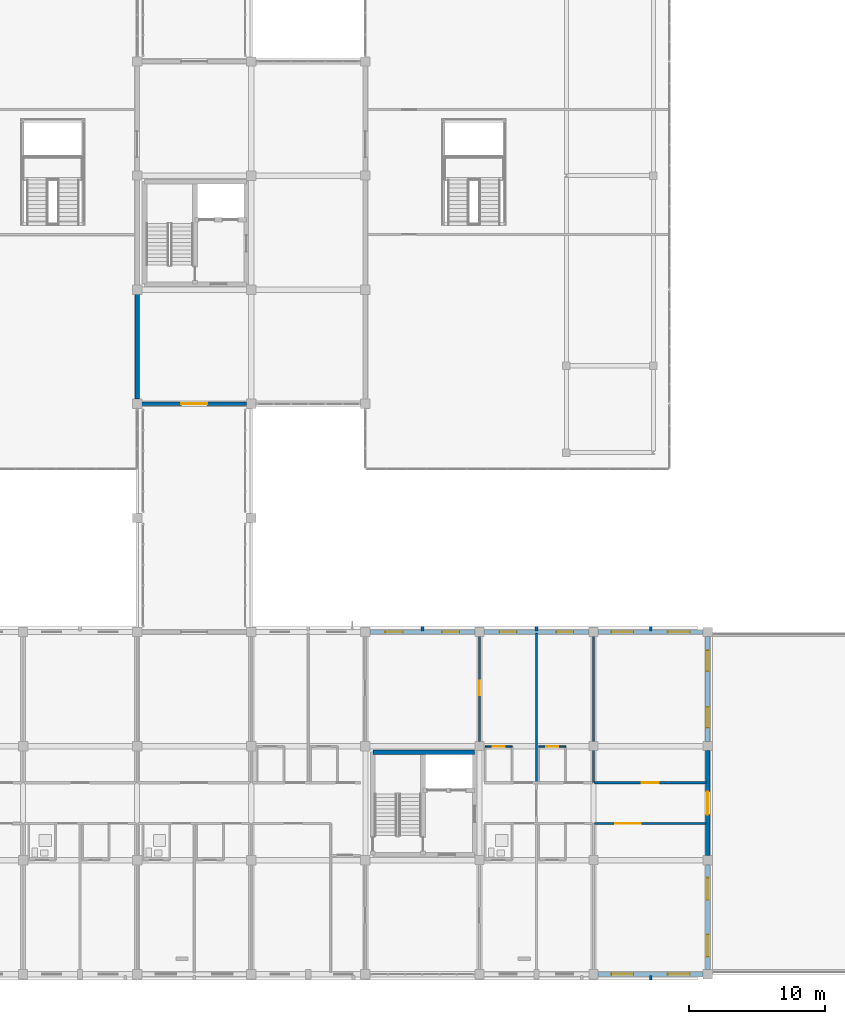
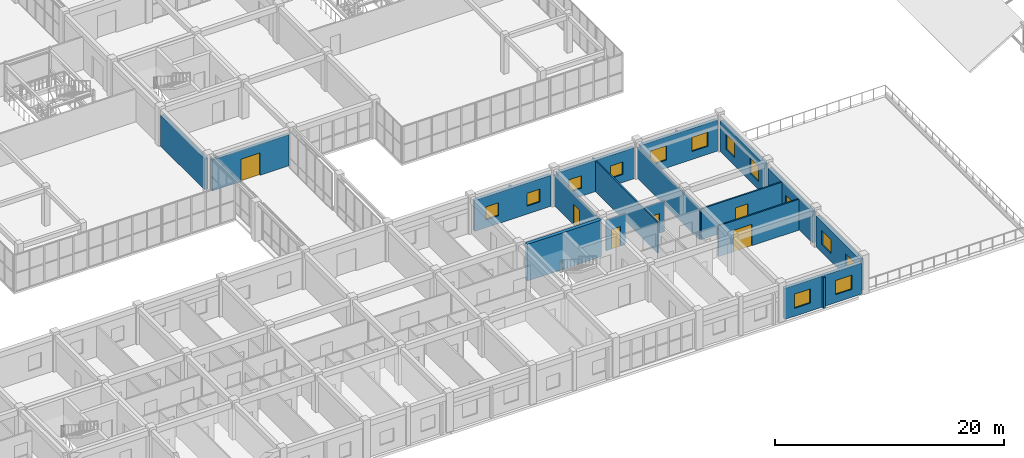
# One storey, part 113 of 140: 21 walls, 12 windows, 7 doors, 19 openings.
"""IFC4 building model written with IfcOpenShell, lengths in metres."""

from ifc_helpers import new_model, si_unit, direction, frame, frame_2d, origin, place, context, subcontext, project, spatial, rectangle, extrude, material, layer, layer_set, type_object, element, fill, save


model = new_model("IFC4")

# Units and contexts
model_context = context("Model", 3, precision=1e-05, world=origin(), true_north=direction((0.0, 1.0)))
body_context = subcontext(model_context, "Body", "Model", "MODEL_VIEW")
ifc_project = project(units=[si_unit("LENGTHUNIT", "METRE"), si_unit("AREAUNIT", "SQUARE_METRE"), si_unit("VOLUMEUNIT", "CUBIC_METRE"), si_unit("PLANEANGLEUNIT", "RADIAN"), si_unit("MASSUNIT", "GRAM", prefix="KILO")], contexts=[model_context])

# Site, building, storey
site_placement = place(None, origin())
site = spatial("IfcSite", under=ifc_project, at=site_placement, CompositionType="ELEMENT")
building_placement = place(site_placement, origin())
building = spatial("IfcBuilding", under=site, at=building_placement, Name="Trelvath General Hospital", CompositionType="ELEMENT")
storey_placement = place(building_placement, frame((0.0, 0.0, 16.199951171875)))
storey = spatial("IfcBuildingStorey", under=building, at=storey_placement, Name="L04", CompositionType="ELEMENT", Elevation=16.199951171875)

# Walls
ifc_material_1 = material(Name="Precast concrete C40/50", Category="concrete")
ifc_layer_1 = layer(ifc_material_1, 0.199951171875)
ifc_layer_set_1 = layer_set([ifc_layer_1], Name="Precast concrete C40/50")
wall_type_1 = type_object("IfcWallType", Name="BriseSoleilRib 200", PredefinedType="ELEMENTEDWALL", material=ifc_layer_set_1)
for number, where, z_axis, x_axis, name in (
    (1, (96.60009765625, 25.27490234375, 0.0), (0.0, 0.0, 1.0), (0.0, 1.0, 0.0), "Precast Concrete Brise-Soleil Rib Fin L04-340"),
    (2, (105.0, 25.27490234375, 0.0), (0.0, 0.0, 1.0), (0.0, 1.0, 0.0), "Precast Concrete Brise-Soleil Rib Fin L04-343"),
    (3, (113.39990234375, -0.074951171875, 0.0), (0.0, 0.0, 1.0), (0.0, -1.0, 0.0), "Precast Concrete Brise-Soleil Rib Fin L04-346"),
    (4, (113.39990234375, 25.27490234375, 0.0), (0.0, 0.0, 1.0), (0.0, 1.0, 0.0), "Precast Concrete Brise-Soleil Rib Fin L04-347"),
):
    element("IfcWall", number, at=place(storey_placement, frame(where, z_axis=z_axis, x_axis=x_axis)), inside=storey, type_object=wall_type_1, Name=name, PredefinedType="ELEMENTEDWALL", context=body_context, shape_type="SweptSolid", body=[
        extrude(rectangle(XDim=0.340087890625, YDim=0.199951171875, at=frame_2d((0.169921875, 0.0))), origin(), (0.0, 0.0, 1.0), 3.300048828125),
    ])

# Wall, opening, door
ifc_material_2 = material(Name="Gypsum acoustic steel-stud partition", Category="steel")
ifc_layer_2 = layer(ifc_material_2, 0.14990234375)
ifc_layer_set_2 = layer_set([ifc_layer_2], Name="Gypsum acoustic steel-stud partition")
wall_type_2 = type_object("IfcWallType", Name="ClinicalPartition 150", PredefinedType="PARTITIONING", material=ifc_layer_set_2)
wall_1_placement = place(storey_placement, frame((109.280029296875, 11.10009765625, 0.0), z_axis=(0.0, 0.0, 1.0), x_axis=(1.0, 0.0, 0.0)))
wall_1 = element("IfcWall", 5, at=wall_1_placement, inside=storey, type_object=wall_type_2, Name="Corridor Partition L04-1543", PredefinedType="PARTITIONING", context=body_context, shape_type="SweptSolid", body=[
    extrude(rectangle(XDim=8.179931640625, YDim=0.14990234375, at=frame_2d((4.08984375, 0.0))), origin(), (0.0, 0.0, 1.0), 3.300048828125),
])
opening_1_placement = place(wall_1_placement, frame((1.530029296875, 0.0, 0.0)))
opening_1 = element("IfcOpeningElement", 6, at=opening_1_placement, cuts=wall_1, Name="Opening D-4-1060", PredefinedType="OPENING", context=body_context, shape_type="SweptSolid", body=[
    extrude(rectangle(XDim=1.85009765625, YDim=2.300048828125, at=frame_2d((0.925048828125, 1.14990234375))), frame((0.0, 0.0849609375, 0.0), z_axis=(0.0, -1.0, 0.0), x_axis=(1.0, 0.0, 0.0)), (0.0, 0.0, 1.0), 0.169921875),
])
ifc_material_3 = material(Name="Fire-rated steel cross-corridor pair", Category="steel")
door_type_1 = type_object("IfcDoorType", Name="Door SmokeCross 1850x2300", OperationType="DOUBLE_SWING_LEFT", PredefinedType="DOOR", material=ifc_material_3)
door_1_placement = place(opening_1_placement, origin())
door_1 = element("IfcDoor", 7, at=door_1_placement, inside=storey, type_object=door_type_1, Name="Waiting Lounge Door L04-1060", OperationType="DOUBLE_SWING_LEFT", OverallHeight=2.300048828125, OverallWidth=1.85009765625, PredefinedType="DOOR", context=body_context, shape_type="SweptSolid", body=[
    extrude(rectangle(XDim=1.85009765625, YDim=2.300048828125, at=frame_2d((0.925048828125, 1.14990234375))), frame((0.0, 0.02490234375, 0.0), z_axis=(0.0, -1.0, 0.0), x_axis=(1.0, 0.0, 0.0)), (0.0, 0.0, 1.0), 0.050048828125),
])
fill(opening_1, door_1)

wall_2_placement = place(storey_placement, frame((117.4599609375, 14.10009765625, 0.0), z_axis=(0.0, 0.0, 1.0), x_axis=(-1.0, 0.0, 0.0)))
wall_2 = element("IfcWall", 8, at=wall_2_placement, inside=storey, type_object=wall_type_2, Name="Corridor Partition N L04-1544", PredefinedType="PARTITIONING", context=body_context, shape_type="SweptSolid", body=[
    extrude(rectangle(XDim=8.179931640625, YDim=0.14990234375, at=frame_2d((4.08984375, 0.0))), origin(), (0.0, 0.0, 1.0), 3.300048828125),
])
opening_2_placement = place(wall_2_placement, frame((3.465087890625, 0.0, 0.0)))
opening_2 = element("IfcOpeningElement", 9, at=opening_2_placement, cuts=wall_2, Name="Opening D-4-1061", PredefinedType="OPENING", context=body_context, shape_type="SweptSolid", body=[
    extrude(rectangle(XDim=1.25, YDim=2.199951171875, at=frame_2d((0.625, 1.10009765625))), frame((0.0, 0.0849609375, 0.0), z_axis=(0.0, -1.0, 0.0), x_axis=(1.0, 0.0, 0.0)), (0.0, 0.0, 1.0), 0.169921875),
])
ifc_material_4 = material(Name="Acoustic hospital timber leaf", Category="wood")
door_type_2 = type_object("IfcDoorType", Name="Door Treatment 1250x2200", OperationType="NOTDEFINED", PredefinedType="DOOR", material=ifc_material_4)
door_2_placement = place(opening_2_placement, origin())
door_2 = element("IfcDoor", 10, at=door_2_placement, inside=storey, type_object=door_type_2, Name="Clinical Room Door L04-1061", OperationType="SINGLE_SWING_LEFT", OverallHeight=2.199951171875, OverallWidth=1.25, PredefinedType="DOOR", context=body_context, shape_type="SweptSolid", body=[
    extrude(rectangle(XDim=1.25, YDim=2.199951171875, at=frame_2d((0.625, 1.10009765625))), frame((0.0, 0.02490234375, 0.0), z_axis=(0.0, -1.0, 0.0), x_axis=(1.0, 0.0, 0.0)), (0.0, 0.0, 1.0), 0.050048828125),
])
fill(opening_2, door_2)

# Wall
ifc_material_5 = material(Name="Concrete C40/50", Category="concrete")
ifc_layer_3 = layer(ifc_material_5, 0.35009765625)
ifc_layer_set_3 = layer_set([ifc_layer_3], Name="Concrete C40/50")
wall_type_3 = type_object("IfcWallType", Name="CoreShearWall 350", PredefinedType="SHEAR", material=ifc_layer_set_3)
wall_3_placement = place(storey_placement, frame((92.949951171875, 16.35009765625, 0.0), z_axis=(0.0, 0.0, 1.0), x_axis=(1.0, 0.0, 0.0)))
element("IfcWall", 11, at=wall_3_placement, inside=storey, type_object=wall_type_3, Name="Core Shear Wall C5 N L04", PredefinedType="SHEAR", context=body_context, shape_type="SweptSolid", body=[
    extrude(rectangle(XDim=7.5, YDim=0.35009765625, at=frame_2d((3.75, 0.0))), origin(), (0.0, 0.0, 1.0), 3.920166015625),
])

# Wall, opening, door
ifc_material_6 = material(Name="Moisture-resistant tile partition")
ifc_layer_4 = layer(ifc_material_6, 0.110107421875)
ifc_layer_set_4 = layer_set([ifc_layer_4], Name="Moisture-resistant tile partition")
wall_type_4 = type_object("IfcWallType", Name="EnSuiteWetWall 110", PredefinedType="PARTITIONING", material=ifc_layer_set_4)
wall_4_placement = place(storey_placement, frame((101.219970703125, 16.780029296875, 0.0), z_axis=(0.0, 0.0, 1.0), x_axis=(1.0, 0.0, 0.0)))
wall_4 = element("IfcWall", 12, at=wall_4_placement, inside=storey, type_object=wall_type_4, Name="En-Suite Bathroom N Partition L04-1536", PredefinedType="PARTITIONING", context=body_context, shape_type="SweptSolid", body=[
    extrude(rectangle(XDim=1.97998046875, YDim=0.110107421875, at=frame_2d((0.989990234375, 0.0))), origin(), (0.0, 0.0, 1.0), 3.300048828125),
])
opening_3_placement = place(wall_4_placement, frame((0.5400390625, 0.0, 0.0)))
opening_3 = element("IfcOpeningElement", 13, at=opening_3_placement, cuts=wall_4, Name="Opening D-4-1057", PredefinedType="OPENING", context=body_context, shape_type="SweptSolid", body=[
    extrude(rectangle(XDim=0.89990234375, YDim=2.10009765625, at=frame_2d((0.449951171875, 1.050048828125))), frame((0.0, 0.06494140625, 0.0), z_axis=(0.0, -1.0, 0.0), x_axis=(1.0, 0.0, 0.0)), (0.0, 0.0, 1.0), 0.130126953125),
])
ifc_material_7 = material(Name="Moisture-sealed timber leaf", Category="wood")
door_type_3 = type_object("IfcDoorType", Name="Door EnSuite 900x2100", OperationType="NOTDEFINED", PredefinedType="DOOR", material=ifc_material_7)
door_3_placement = place(opening_3_placement, origin())
door_3 = element("IfcDoor", 14, at=door_3_placement, inside=storey, type_object=door_type_3, Name="En-Suite Bathroom N Door L04-1057", OperationType="SINGLE_SWING_LEFT", OverallHeight=2.10009765625, OverallWidth=0.89990234375, PredefinedType="DOOR", context=body_context, shape_type="SweptSolid", body=[
    extrude(rectangle(XDim=0.89990234375, YDim=2.10009765625, at=frame_2d((0.449951171875, 1.050048828125))), frame((0.0, 0.02490234375, 0.0), z_axis=(0.0, -1.0, 0.0), x_axis=(1.0, 0.0, 0.0)), (0.0, 0.0, 1.0), 0.050048828125),
])
fill(opening_3, door_3)

wall_5_placement = place(storey_placement, frame((105.159912109375, 16.780029296875, 0.0), z_axis=(0.0, 0.0, 1.0), x_axis=(1.0, 0.0, 0.0)))
wall_5 = element("IfcWall", 15, at=wall_5_placement, inside=storey, type_object=wall_type_4, Name="En-Suite Bathroom N Partition L04-1539", PredefinedType="PARTITIONING", context=body_context, shape_type="SweptSolid", body=[
    extrude(rectangle(XDim=1.97998046875, YDim=0.110107421875, at=frame_2d((0.989990234375, 0.0))), origin(), (0.0, 0.0, 1.0), 3.300048828125),
])
opening_4_placement = place(wall_5_placement, frame((0.5400390625, 0.0, 0.0)))
opening_4 = element("IfcOpeningElement", 16, at=opening_4_placement, cuts=wall_5, Name="Opening D-4-1058", PredefinedType="OPENING", context=body_context, shape_type="SweptSolid", body=[
    extrude(rectangle(XDim=0.89990234375, YDim=2.10009765625, at=frame_2d((0.449951171875, 1.050048828125))), frame((0.0, 0.06494140625, 0.0), z_axis=(0.0, -1.0, 0.0), x_axis=(1.0, 0.0, 0.0)), (0.0, 0.0, 1.0), 0.130126953125),
])
door_4_placement = place(opening_4_placement, origin())
door_4 = element("IfcDoor", 17, at=door_4_placement, inside=storey, type_object=door_type_3, Name="En-Suite Bathroom N Door L04-1058", OperationType="SINGLE_SWING_RIGHT", OverallHeight=2.10009765625, OverallWidth=0.89990234375, PredefinedType="DOOR", context=body_context, shape_type="SweptSolid", body=[
    extrude(rectangle(XDim=0.89990234375, YDim=2.10009765625, at=frame_2d((0.449951171875, 1.050048828125))), frame((0.0, 0.02490234375, 0.0), z_axis=(0.0, -1.0, 0.0), x_axis=(1.0, 0.0, 0.0)), (0.0, 0.0, 1.0), 0.050048828125),
])
fill(opening_4, door_4)

ifc_material_8 = material(Name="Concrete C35/45", Category="concrete")
ifc_layer_5 = layer(ifc_material_8, 0.2900390625)
ifc_layer_set_5 = layer_set([ifc_layer_5], Name="Concrete C35/45")
wall_type_5 = type_object("IfcWallType", Name="ExtBushHammeredWall 290", PredefinedType="SOLIDWALL", material=ifc_layer_set_5)
wall_6_placement = place(storey_placement, frame((83.6650390625, 42.0, 0.0), z_axis=(0.0, 0.0, 1.0), x_axis=(-1.0, 0.0, 0.0)))
wall_6 = element("IfcWall", 18, at=wall_6_placement, inside=storey, type_object=wall_type_5, Name="Bridge Portal Wall BRG-S-C L04", PredefinedType="SOLIDWALL", context=body_context, shape_type="SweptSolid", body=[
    extrude(rectangle(XDim=7.72998046875, YDim=0.2900390625, at=frame_2d((3.864990234375, 0.0))), origin(), (0.0, 0.0, 1.0), 3.320068359375),
])
opening_5_placement = place(wall_6_placement, frame((2.9150390625, 0.0, 0.0)))
opening_5 = element("IfcOpeningElement", 19, at=opening_5_placement, cuts=wall_6, Name="Opening BP-4-057", PredefinedType="OPENING", context=body_context, shape_type="SweptSolid", body=[
    extrude(rectangle(XDim=1.89990234375, YDim=2.39990234375, at=frame_2d((0.949951171875, 1.199951171875))), frame((0.0, 0.155029296875, 0.0), z_axis=(0.0, -1.0, 0.0), x_axis=(1.0, 0.0, 0.0)), (0.0, 0.0, 1.0), 0.31005859375),
])
ifc_material_9 = material(Name="Thermally broken glazed aluminium pair", Category="aluminium")
door_type_4 = type_object("IfcDoorType", Name="Door BridgeEntry 1900x2400", OperationType="DOUBLE_SWING_LEFT", PredefinedType="DOOR", material=ifc_material_9)
door_5_placement = place(opening_5_placement, origin())
door_5 = element("IfcDoor", 20, at=door_5_placement, inside=storey, type_object=door_type_4, Name="Glazed Bridge Portal Door BRG-S-C L04", OperationType="DOUBLE_SWING_LEFT", OverallHeight=2.39990234375, OverallWidth=1.89990234375, PredefinedType="DOOR", context=body_context, shape_type="SweptSolid", body=[
    extrude(rectangle(XDim=1.89990234375, YDim=2.39990234375, at=frame_2d((0.949951171875, 1.199951171875))), frame((0.0, 0.02490234375, 0.0), z_axis=(0.0, -1.0, 0.0), x_axis=(1.0, 0.0, 0.0)), (0.0, 0.0, 1.0), 0.050048828125),
])
fill(opening_5, door_5)

# Wall
ifc_material_10 = material(Name="Concrete C35/45", Category="concrete")
ifc_layer_6 = layer(ifc_material_10, 0.320068359375)
ifc_layer_set_6 = layer_set([ifc_layer_6], Name="Concrete C35/45")
wall_type_6 = type_object("IfcWallType", Name="ExtThermalWall 320", PredefinedType="SOLIDWALL", material=ifc_layer_set_6)
wall_7_placement = place(storey_placement, frame((75.60009765625, 42.3349609375, 0.0), z_axis=(0.0, 0.0, 1.0), x_axis=(0.0, 1.0, 0.0)))
element("IfcWall", 21, at=wall_7_placement, inside=storey, type_object=wall_type_6, Name="Exterior Concrete Wall L04-455", PredefinedType="SOLIDWALL", context=body_context, shape_type="SweptSolid", body=[
    extrude(rectangle(XDim=7.72998046875, YDim=0.320068359375, at=frame_2d((3.864990234375, 0.0))), origin(), (0.0, 0.0, 1.0), 3.320068359375),
])

# Wall, openings, windows
wall_8_placement = place(storey_placement, frame((92.735107421875, 25.199951171875, 0.0), z_axis=(0.0, 0.0, 1.0), x_axis=(1.0, 0.0, 0.0)))
wall_8 = element("IfcWall", 22, at=wall_8_placement, inside=storey, type_object=wall_type_6, Name="Exterior Concrete Wall L04-468", PredefinedType="SOLIDWALL", context=body_context, shape_type="SweptSolid", body=[
    extrude(rectangle(XDim=7.72998046875, YDim=0.320068359375, at=frame_2d((3.864990234375, 0.0))), origin(), (0.0, 0.0, 1.0), 3.320068359375),
])
opening_6_placement = place(wall_8_placement, frame((1.137939453125, 0.0, 0.85009765625)))
opening_6 = element("IfcOpeningElement", 23, at=opening_6_placement, cuts=wall_8, Name="Opening WN-4-765", PredefinedType="OPENING", context=body_context, shape_type="SweptSolid", body=[
    extrude(rectangle(XDim=1.280029296875, YDim=1.3798828125, at=frame_2d((0.64013671875, 0.68994140625))), frame((0.0, 0.169921875, 0.0), z_axis=(0.0, -1.0, 0.0), x_axis=(1.0, 0.0, 0.0)), (0.0, 0.0, 1.0), 0.340087890625),
])
opening_7_placement = place(wall_8_placement, frame((5.31201171875, 0.0, 0.85009765625)))
opening_7 = element("IfcOpeningElement", 24, at=opening_7_placement, cuts=wall_8, Name="Opening WN-4-766", PredefinedType="OPENING", context=body_context, shape_type="SweptSolid", body=[
    extrude(rectangle(XDim=1.280029296875, YDim=1.3798828125, at=frame_2d((0.64013671875, 0.68994140625))), frame((0.0, 0.169921875, 0.0), z_axis=(0.0, -1.0, 0.0), x_axis=(1.0, 0.0, 0.0)), (0.0, 0.0, 1.0), 0.340087890625),
])
ifc_material_11 = material(Name="Low-E laminated glass", Category="glass")
window_type_1 = type_object("IfcWindowType", Name="Window Telemetry 1280x1380", PartitioningType="DOUBLE_PANEL_VERTICAL", PredefinedType="WINDOW", material=ifc_material_11)
window_1_placement = place(opening_6_placement, origin())
window_1 = element("IfcWindow", 25, at=window_1_placement, inside=storey, type_object=window_type_1, Name="Solar Reveal Window L04-765", OverallHeight=1.3798828125, OverallWidth=1.280029296875, PartitioningType="SINGLE_PANEL", PredefinedType="WINDOW", context=body_context, shape_type="SweptSolid", body=[
    extrude(rectangle(XDim=1.280029296875, YDim=1.3798828125, at=frame_2d((0.64013671875, 0.68994140625))), frame((0.0, 0.030029296875, 0.0), z_axis=(0.0, -1.0, 0.0), x_axis=(1.0, 0.0, 0.0)), (0.0, 0.0, 1.0), 0.06005859375),
])
fill(opening_6, window_1)
window_2_placement = place(opening_7_placement, origin())
window_2 = element("IfcWindow", 26, at=window_2_placement, inside=storey, type_object=window_type_1, Name="Solar Reveal Window L04-766", OverallHeight=1.3798828125, OverallWidth=1.280029296875, PartitioningType="SINGLE_PANEL", PredefinedType="WINDOW", context=body_context, shape_type="SweptSolid", body=[
    extrude(rectangle(XDim=1.280029296875, YDim=1.3798828125, at=frame_2d((0.64013671875, 0.68994140625))), frame((0.0, 0.030029296875, 0.0), z_axis=(0.0, -1.0, 0.0), x_axis=(1.0, 0.0, 0.0)), (0.0, 0.0, 1.0), 0.06005859375),
])
fill(opening_7, window_2)

wall_9_placement = place(storey_placement, frame((101.135009765625, 25.199951171875, 0.0), z_axis=(0.0, 0.0, 1.0), x_axis=(1.0, 0.0, 0.0)))
wall_9 = element("IfcWall", 27, at=wall_9_placement, inside=storey, type_object=wall_type_6, Name="Exterior Concrete Wall L04-471", PredefinedType="SOLIDWALL", context=body_context, shape_type="SweptSolid", body=[
    extrude(rectangle(XDim=7.72998046875, YDim=0.320068359375, at=frame_2d((3.864990234375, 0.0))), origin(), (0.0, 0.0, 1.0), 3.320068359375),
])
opening_8_placement = place(wall_9_placement, frame((1.157958984375, 0.0, 0.85009765625)))
opening_8 = element("IfcOpeningElement", 28, at=opening_8_placement, cuts=wall_9, Name="Opening WN-4-771", PredefinedType="OPENING", context=body_context, shape_type="SweptSolid", body=[
    extrude(rectangle(XDim=1.239990234375, YDim=1.340087890625, at=frame_2d((0.6201171875, 0.669921875))), frame((0.0, 0.169921875, 0.0), z_axis=(0.0, -1.0, 0.0), x_axis=(1.0, 0.0, 0.0)), (0.0, 0.0, 1.0), 0.340087890625),
])
opening_9_placement = place(wall_9_placement, frame((5.33203125, 0.0, 0.85009765625)))
opening_9 = element("IfcOpeningElement", 29, at=opening_9_placement, cuts=wall_9, Name="Opening WN-4-772", PredefinedType="OPENING", context=body_context, shape_type="SweptSolid", body=[
    extrude(rectangle(XDim=1.239990234375, YDim=1.340087890625, at=frame_2d((0.6201171875, 0.669921875))), frame((0.0, 0.169921875, 0.0), z_axis=(0.0, -1.0, 0.0), x_axis=(1.0, 0.0, 0.0)), (0.0, 0.0, 1.0), 0.340087890625),
])
ifc_material_12 = material(Name="Low-E laminated glass", Category="glass")
window_type_2 = type_object("IfcWindowType", Name="Window Pharmacy 1240x1340", PartitioningType="DOUBLE_PANEL_VERTICAL", PredefinedType="WINDOW", material=ifc_material_12)
window_3_placement = place(opening_8_placement, origin())
window_3 = element("IfcWindow", 30, at=window_3_placement, inside=storey, type_object=window_type_2, Name="Solar Reveal Window L04-771", OverallHeight=1.340087890625, OverallWidth=1.239990234375, PartitioningType="SINGLE_PANEL", PredefinedType="WINDOW", context=body_context, shape_type="SweptSolid", body=[
    extrude(rectangle(XDim=1.239990234375, YDim=1.340087890625, at=frame_2d((0.6201171875, 0.669921875))), frame((0.0, 0.030029296875, 0.0), z_axis=(0.0, -1.0, 0.0), x_axis=(1.0, 0.0, 0.0)), (0.0, 0.0, 1.0), 0.06005859375),
])
fill(opening_8, window_3)
window_4_placement = place(opening_9_placement, origin())
window_4 = element("IfcWindow", 31, at=window_4_placement, inside=storey, type_object=window_type_2, Name="Solar Reveal Window L04-772", OverallHeight=1.340087890625, OverallWidth=1.239990234375, PartitioningType="SINGLE_PANEL", PredefinedType="WINDOW", context=body_context, shape_type="SweptSolid", body=[
    extrude(rectangle(XDim=1.239990234375, YDim=1.340087890625, at=frame_2d((0.6201171875, 0.669921875))), frame((0.0, 0.030029296875, 0.0), z_axis=(0.0, -1.0, 0.0), x_axis=(1.0, 0.0, 0.0)), (0.0, 0.0, 1.0), 0.06005859375),
])
fill(opening_9, window_4)

wall_10_placement = place(storey_placement, frame((117.264892578125, 0.0, 0.0), z_axis=(0.0, 0.0, 1.0), x_axis=(-1.0, 0.0, 0.0)))
wall_10 = element("IfcWall", 32, at=wall_10_placement, inside=storey, type_object=wall_type_6, Name="Exterior Concrete Wall L04-474", PredefinedType="SOLIDWALL", context=body_context, shape_type="SweptSolid", body=[
    extrude(rectangle(XDim=7.72998046875, YDim=0.320068359375, at=frame_2d((3.864990234375, 0.0))), origin(), (0.0, 0.0, 1.0), 3.320068359375),
])
opening_10_placement = place(wall_10_placement, frame((0.968017578125, 0.0, 0.85009765625)))
opening_10 = element("IfcOpeningElement", 33, at=opening_10_placement, cuts=wall_10, Name="Opening WN-4-777", PredefinedType="OPENING", context=body_context, shape_type="SweptSolid", body=[
    extrude(rectangle(XDim=1.6201171875, YDim=1.52001953125, at=frame_2d((0.81005859375, 0.760009765625))), frame((0.0, 0.169921875, 0.0), z_axis=(0.0, -1.0, 0.0), x_axis=(1.0, 0.0, 0.0)), (0.0, 0.0, 1.0), 0.340087890625),
])
opening_11_placement = place(wall_10_placement, frame((5.14208984375, 0.0, 0.85009765625)))
opening_11 = element("IfcOpeningElement", 34, at=opening_11_placement, cuts=wall_10, Name="Opening WN-4-778", PredefinedType="OPENING", context=body_context, shape_type="SweptSolid", body=[
    extrude(rectangle(XDim=1.6201171875, YDim=1.52001953125, at=frame_2d((0.81005859375, 0.760009765625))), frame((0.0, 0.169921875, 0.0), z_axis=(0.0, -1.0, 0.0), x_axis=(1.0, 0.0, 0.0)), (0.0, 0.0, 1.0), 0.340087890625),
])
ifc_material_13 = material(Name="Low-E laminated glass", Category="glass")
window_type_3 = type_object("IfcWindowType", Name="Window Triage 1620x1520", PartitioningType="DOUBLE_PANEL_VERTICAL", PredefinedType="WINDOW", material=ifc_material_13)
window_5_placement = place(opening_10_placement, origin())
window_5 = element("IfcWindow", 35, at=window_5_placement, inside=storey, type_object=window_type_3, Name="Solar Reveal Window L04-777", OverallHeight=1.52001953125, OverallWidth=1.6201171875, PartitioningType="SINGLE_PANEL", PredefinedType="WINDOW", context=body_context, shape_type="SweptSolid", body=[
    extrude(rectangle(XDim=1.6201171875, YDim=1.52001953125, at=frame_2d((0.81005859375, 0.760009765625))), frame((0.0, 0.030029296875, 0.0), z_axis=(0.0, -1.0, 0.0), x_axis=(1.0, 0.0, 0.0)), (0.0, 0.0, 1.0), 0.06005859375),
])
fill(opening_10, window_5)
window_6_placement = place(opening_11_placement, origin())
window_6 = element("IfcWindow", 36, at=window_6_placement, inside=storey, type_object=window_type_3, Name="Solar Reveal Window L04-778", OverallHeight=1.52001953125, OverallWidth=1.6201171875, PartitioningType="SINGLE_PANEL", PredefinedType="WINDOW", context=body_context, shape_type="SweptSolid", body=[
    extrude(rectangle(XDim=1.6201171875, YDim=1.52001953125, at=frame_2d((0.81005859375, 0.760009765625))), frame((0.0, 0.030029296875, 0.0), z_axis=(0.0, -1.0, 0.0), x_axis=(1.0, 0.0, 0.0)), (0.0, 0.0, 1.0), 0.06005859375),
])
fill(opening_11, window_6)

wall_11_placement = place(storey_placement, frame((117.60009765625, 8.06494140625, 0.0), z_axis=(0.0, 0.0, 1.0), x_axis=(0.0, -1.0, 0.0)))
wall_11 = element("IfcWall", 37, at=wall_11_placement, inside=storey, type_object=wall_type_6, Name="Exterior Concrete Wall L04-475", PredefinedType="SOLIDWALL", context=body_context, shape_type="SweptSolid", body=[
    extrude(rectangle(XDim=7.72998046875, YDim=0.320068359375, at=frame_2d((3.864990234375, 0.0))), origin(), (0.0, 0.0, 1.0), 3.320068359375),
])
opening_12_placement = place(wall_11_placement, frame((0.968017578125, 0.0, 0.85009765625)))
opening_12 = element("IfcOpeningElement", 38, at=opening_12_placement, cuts=wall_11, Name="Opening WN-4-779", PredefinedType="OPENING", context=body_context, shape_type="SweptSolid", body=[
    extrude(rectangle(XDim=1.6201171875, YDim=1.52001953125, at=frame_2d((0.81005859375, 0.760009765625))), frame((0.0, 0.169921875, 0.0), z_axis=(0.0, -1.0, 0.0), x_axis=(1.0, 0.0, 0.0)), (0.0, 0.0, 1.0), 0.340087890625),
])
opening_13_placement = place(wall_11_placement, frame((5.14208984375, 0.0, 0.85009765625)))
opening_13 = element("IfcOpeningElement", 39, at=opening_13_placement, cuts=wall_11, Name="Opening WN-4-780", PredefinedType="OPENING", context=body_context, shape_type="SweptSolid", body=[
    extrude(rectangle(XDim=1.6201171875, YDim=1.52001953125, at=frame_2d((0.81005859375, 0.760009765625))), frame((0.0, 0.169921875, 0.0), z_axis=(0.0, -1.0, 0.0), x_axis=(1.0, 0.0, 0.0)), (0.0, 0.0, 1.0), 0.340087890625),
])
window_7_placement = place(opening_12_placement, origin())
window_7 = element("IfcWindow", 40, at=window_7_placement, inside=storey, type_object=window_type_3, Name="Solar Reveal Window L04-779", OverallHeight=1.52001953125, OverallWidth=1.6201171875, PartitioningType="SINGLE_PANEL", PredefinedType="WINDOW", context=body_context, shape_type="SweptSolid", body=[
    extrude(rectangle(XDim=1.6201171875, YDim=1.52001953125, at=frame_2d((0.81005859375, 0.760009765625))), frame((0.0, 0.030029296875, 0.0), z_axis=(0.0, -1.0, 0.0), x_axis=(1.0, 0.0, 0.0)), (0.0, 0.0, 1.0), 0.06005859375),
])
fill(opening_12, window_7)
window_8_placement = place(opening_13_placement, origin())
window_8 = element("IfcWindow", 41, at=window_8_placement, inside=storey, type_object=window_type_3, Name="Solar Reveal Window L04-780", OverallHeight=1.52001953125, OverallWidth=1.6201171875, PartitioningType="SINGLE_PANEL", PredefinedType="WINDOW", context=body_context, shape_type="SweptSolid", body=[
    extrude(rectangle(XDim=1.6201171875, YDim=1.52001953125, at=frame_2d((0.81005859375, 0.760009765625))), frame((0.0, 0.030029296875, 0.0), z_axis=(0.0, -1.0, 0.0), x_axis=(1.0, 0.0, 0.0)), (0.0, 0.0, 1.0), 0.06005859375),
])
fill(opening_13, window_8)

# Wall, opening, door
wall_12_placement = place(storey_placement, frame((117.60009765625, 16.465087890625, 0.0), z_axis=(0.0, 0.0, 1.0), x_axis=(0.0, -1.0, 0.0)))
wall_12 = element("IfcWall", 42, at=wall_12_placement, inside=storey, type_object=wall_type_6, Name="Exterior Concrete Wall L04-476", PredefinedType="SOLIDWALL", context=body_context, shape_type="SweptSolid", body=[
    extrude(rectangle(XDim=7.72998046875, YDim=0.320068359375, at=frame_2d((3.864990234375, 0.0))), origin(), (0.0, 0.0, 1.0), 3.320068359375),
])
opening_14_placement = place(wall_12_placement, frame((3.014892578125, 0.0, 0.0)))
opening_14 = element("IfcOpeningElement", 43, at=opening_14_placement, cuts=wall_12, Name="Opening TD-4-62", PredefinedType="OPENING", context=body_context, shape_type="SweptSolid", body=[
    extrude(rectangle(XDim=1.699951171875, YDim=2.300048828125, at=frame_2d((0.85009765625, 1.14990234375))), frame((0.0, 0.169921875, 0.0), z_axis=(0.0, -1.0, 0.0), x_axis=(1.0, 0.0, 0.0)), (0.0, 0.0, 1.0), 0.340087890625),
])
ifc_material_14 = material(Name="Thermally broken glazed aluminium pair", Category="aluminium")
door_type_5 = type_object("IfcDoorType", Name="Door TerracePair 1700x2300", OperationType="DOUBLE_SWING_LEFT", PredefinedType="DOOR", material=ifc_material_14)
door_6_placement = place(opening_14_placement, origin())
door_6 = element("IfcDoor", 44, at=door_6_placement, inside=storey, type_object=door_type_5, Name="Planted Terrace Access Door TERR-SW-E4 L04", OperationType="DOUBLE_SWING_LEFT", OverallHeight=2.300048828125, OverallWidth=1.699951171875, PredefinedType="DOOR", context=body_context, shape_type="SweptSolid", body=[
    extrude(rectangle(XDim=1.699951171875, YDim=2.300048828125, at=frame_2d((0.85009765625, 1.14990234375))), frame((0.0, 0.02490234375, 0.0), z_axis=(0.0, -1.0, 0.0), x_axis=(1.0, 0.0, 0.0)), (0.0, 0.0, 1.0), 0.050048828125),
])
fill(opening_14, door_6)

# Wall, openings, windows
wall_13_placement = place(storey_placement, frame((109.534912109375, 25.199951171875, 0.0), z_axis=(0.0, 0.0, 1.0), x_axis=(1.0, 0.0, 0.0)))
wall_13 = element("IfcWall", 45, at=wall_13_placement, inside=storey, type_object=wall_type_6, Name="Exterior Concrete Wall L04-477", PredefinedType="SOLIDWALL", context=body_context, shape_type="SweptSolid", body=[
    extrude(rectangle(XDim=7.72998046875, YDim=0.320068359375, at=frame_2d((3.864990234375, 0.0))), origin(), (0.0, 0.0, 1.0), 3.320068359375),
])
opening_15_placement = place(wall_13_placement, frame((0.968017578125, 0.0, 0.85009765625)))
opening_15 = element("IfcOpeningElement", 46, at=opening_15_placement, cuts=wall_13, Name="Opening WN-4-781", PredefinedType="OPENING", context=body_context, shape_type="SweptSolid", body=[
    extrude(rectangle(XDim=1.6201171875, YDim=1.52001953125, at=frame_2d((0.81005859375, 0.760009765625))), frame((0.0, 0.169921875, 0.0), z_axis=(0.0, -1.0, 0.0), x_axis=(1.0, 0.0, 0.0)), (0.0, 0.0, 1.0), 0.340087890625),
])
opening_16_placement = place(wall_13_placement, frame((5.14208984375, 0.0, 0.85009765625)))
opening_16 = element("IfcOpeningElement", 47, at=opening_16_placement, cuts=wall_13, Name="Opening WN-4-782", PredefinedType="OPENING", context=body_context, shape_type="SweptSolid", body=[
    extrude(rectangle(XDim=1.6201171875, YDim=1.52001953125, at=frame_2d((0.81005859375, 0.760009765625))), frame((0.0, 0.169921875, 0.0), z_axis=(0.0, -1.0, 0.0), x_axis=(1.0, 0.0, 0.0)), (0.0, 0.0, 1.0), 0.340087890625),
])
window_9_placement = place(opening_15_placement, origin())
window_9 = element("IfcWindow", 48, at=window_9_placement, inside=storey, type_object=window_type_3, Name="Solar Reveal Window L04-781", OverallHeight=1.52001953125, OverallWidth=1.6201171875, PartitioningType="SINGLE_PANEL", PredefinedType="WINDOW", context=body_context, shape_type="SweptSolid", body=[
    extrude(rectangle(XDim=1.6201171875, YDim=1.52001953125, at=frame_2d((0.81005859375, 0.760009765625))), frame((0.0, 0.030029296875, 0.0), z_axis=(0.0, -1.0, 0.0), x_axis=(1.0, 0.0, 0.0)), (0.0, 0.0, 1.0), 0.06005859375),
])
fill(opening_15, window_9)
window_10_placement = place(opening_16_placement, origin())
window_10 = element("IfcWindow", 49, at=window_10_placement, inside=storey, type_object=window_type_3, Name="Solar Reveal Window L04-782", OverallHeight=1.52001953125, OverallWidth=1.6201171875, PartitioningType="SINGLE_PANEL", PredefinedType="WINDOW", context=body_context, shape_type="SweptSolid", body=[
    extrude(rectangle(XDim=1.6201171875, YDim=1.52001953125, at=frame_2d((0.81005859375, 0.760009765625))), frame((0.0, 0.030029296875, 0.0), z_axis=(0.0, -1.0, 0.0), x_axis=(1.0, 0.0, 0.0)), (0.0, 0.0, 1.0), 0.06005859375),
])
fill(opening_16, window_10)

wall_14_placement = place(storey_placement, frame((117.60009765625, 24.864990234375, 0.0), z_axis=(0.0, 0.0, 1.0), x_axis=(0.0, -1.0, 0.0)))
wall_14 = element("IfcWall", 50, at=wall_14_placement, inside=storey, type_object=wall_type_6, Name="Exterior Concrete Wall L04-478", PredefinedType="SOLIDWALL", context=body_context, shape_type="SweptSolid", body=[
    extrude(rectangle(XDim=7.72998046875, YDim=0.320068359375, at=frame_2d((3.864990234375, 0.0))), origin(), (0.0, 0.0, 1.0), 3.320068359375),
])
opening_17_placement = place(wall_14_placement, frame((1.017822265625, 0.0, 0.85009765625)))
opening_17 = element("IfcOpeningElement", 51, at=opening_17_placement, cuts=wall_14, Name="Opening WN-4-783", PredefinedType="OPENING", context=body_context, shape_type="SweptSolid", body=[
    extrude(rectangle(XDim=1.52001953125, YDim=1.64990234375, at=frame_2d((0.760009765625, 0.824951171875))), frame((0.0, 0.169921875, 0.0), z_axis=(0.0, -1.0, 0.0), x_axis=(1.0, 0.0, 0.0)), (0.0, 0.0, 1.0), 0.340087890625),
])
opening_18_placement = place(wall_14_placement, frame((5.192138671875, 0.0, 0.85009765625)))
opening_18 = element("IfcOpeningElement", 52, at=opening_18_placement, cuts=wall_14, Name="Opening WN-4-784", PredefinedType="OPENING", context=body_context, shape_type="SweptSolid", body=[
    extrude(rectangle(XDim=1.52001953125, YDim=1.64990234375, at=frame_2d((0.760009765625, 0.824951171875))), frame((0.0, 0.169921875, 0.0), z_axis=(0.0, -1.0, 0.0), x_axis=(1.0, 0.0, 0.0)), (0.0, 0.0, 1.0), 0.340087890625),
])
ifc_material_15 = material(Name="Low-E laminated glass", Category="glass")
window_type_4 = type_object("IfcWindowType", Name="Window WardNorth 1520x1650", PartitioningType="DOUBLE_PANEL_VERTICAL", PredefinedType="WINDOW", material=ifc_material_15)
window_11_placement = place(opening_17_placement, origin())
window_11 = element("IfcWindow", 53, at=window_11_placement, inside=storey, type_object=window_type_4, Name="Solar Reveal Window L04-783", OverallHeight=1.64990234375, OverallWidth=1.52001953125, PartitioningType="SINGLE_PANEL", PredefinedType="WINDOW", context=body_context, shape_type="SweptSolid", body=[
    extrude(rectangle(XDim=1.52001953125, YDim=1.64990234375, at=frame_2d((0.760009765625, 0.824951171875))), frame((0.0, 0.030029296875, 0.0), z_axis=(0.0, -1.0, 0.0), x_axis=(1.0, 0.0, 0.0)), (0.0, 0.0, 1.0), 0.06005859375),
])
fill(opening_17, window_11)
window_12_placement = place(opening_18_placement, origin())
window_12 = element("IfcWindow", 54, at=window_12_placement, inside=storey, type_object=window_type_4, Name="Solar Reveal Window L04-784", OverallHeight=1.64990234375, OverallWidth=1.52001953125, PartitioningType="SINGLE_PANEL", PredefinedType="WINDOW", context=body_context, shape_type="SweptSolid", body=[
    extrude(rectangle(XDim=1.52001953125, YDim=1.64990234375, at=frame_2d((0.760009765625, 0.824951171875))), frame((0.0, 0.030029296875, 0.0), z_axis=(0.0, -1.0, 0.0), x_axis=(1.0, 0.0, 0.0)), (0.0, 0.0, 1.0), 0.06005859375),
])
fill(opening_18, window_12)

# Wall, opening, door
ifc_material_16 = material(Name="Gypsum acoustic steel-stud partition", Category="steel")
ifc_layer_7 = layer(ifc_material_16, 0.1298828125)
ifc_layer_set_7 = layer_set([ifc_layer_7], Name="Gypsum acoustic steel-stud partition")
wall_type_7 = type_object("IfcWallType", Name="WardPartition 130", PredefinedType="PARTITIONING", material=ifc_layer_set_7)
wall_15_placement = place(storey_placement, frame((100.800048828125, 17.14990234375, 0.0), z_axis=(0.0, 0.0, 1.0), x_axis=(0.0, 1.0, 0.0)))
wall_15 = element("IfcWall", 55, at=wall_15_placement, inside=storey, type_object=wall_type_7, Name="Inter-Bay Ward Partition N L04-1522", PredefinedType="PARTITIONING", context=body_context, shape_type="SweptSolid", body=[
    extrude(rectangle(XDim=7.91015625, YDim=0.1298828125, at=frame_2d((3.955078125, 0.0))), origin(), (0.0, 0.0, 1.0), 3.300048828125),
])
opening_19_placement = place(wall_15_placement, frame((3.39990234375, 0.0, 0.0)))
opening_19 = element("IfcOpeningElement", 56, at=opening_19_placement, cuts=wall_15, Name="Opening D-4-1050", PredefinedType="OPENING", context=body_context, shape_type="SweptSolid", body=[
    extrude(rectangle(XDim=1.050048828125, YDim=2.199951171875, at=frame_2d((0.52490234375, 1.10009765625))), frame((0.0, 0.074951171875, 0.0), z_axis=(0.0, -1.0, 0.0), x_axis=(1.0, 0.0, 0.0)), (0.0, 0.0, 1.0), 0.14990234375),
])
ifc_material_17 = material(Name="Acoustic hospital timber leaf", Category="wood")
door_type_6 = type_object("IfcDoorType", Name="Door Consult 1050x2200", OperationType="NOTDEFINED", PredefinedType="DOOR", material=ifc_material_17)
door_7_placement = place(opening_19_placement, origin())
door_7 = element("IfcDoor", 57, at=door_7_placement, inside=storey, type_object=door_type_6, Name="Consultation Connecting Door L04-1050", OperationType="SINGLE_SWING_LEFT", OverallHeight=2.199951171875, OverallWidth=1.050048828125, PredefinedType="DOOR", context=body_context, shape_type="SweptSolid", body=[
    extrude(rectangle(XDim=1.050048828125, YDim=2.199951171875, at=frame_2d((0.52490234375, 1.10009765625))), frame((0.0, 0.02490234375, 0.0), z_axis=(0.0, -1.0, 0.0), x_axis=(1.0, 0.0, 0.0)), (0.0, 0.0, 1.0), 0.050048828125),
])
fill(opening_19, door_7)

# Walls
wall_16_placement = place(storey_placement, frame((105.0, 14.169921875, 0.0), z_axis=(0.0, 0.0, 1.0), x_axis=(0.0, 1.0, 0.0)))
element("IfcWall", 58, at=wall_16_placement, inside=storey, type_object=wall_type_7, Name="Room Dividing Partition N L04-1533", PredefinedType="PARTITIONING", context=body_context, shape_type="SweptSolid", body=[
    extrude(rectangle(XDim=10.93017578125, YDim=0.1298828125, at=frame_2d((5.465087890625, 0.0))), origin(), (0.0, 0.0, 1.0), 3.300048828125),
])
wall_17_placement = place(storey_placement, frame((109.199951171875, 14.1201171875, 0.0), z_axis=(0.0, 0.0, 1.0), x_axis=(0.0, 1.0, 0.0)))
element("IfcWall", 59, at=wall_17_placement, inside=storey, type_object=wall_type_7, Name="Inter-Bay Ward Partition N L04-1542", PredefinedType="PARTITIONING", context=body_context, shape_type="SweptSolid", body=[
    extrude(rectangle(XDim=10.93994140625, YDim=0.1298828125, at=frame_2d((5.469970703125, 0.0))), origin(), (0.0, 0.0, 1.0), 3.300048828125),
])

save(model, "model.ifc")
